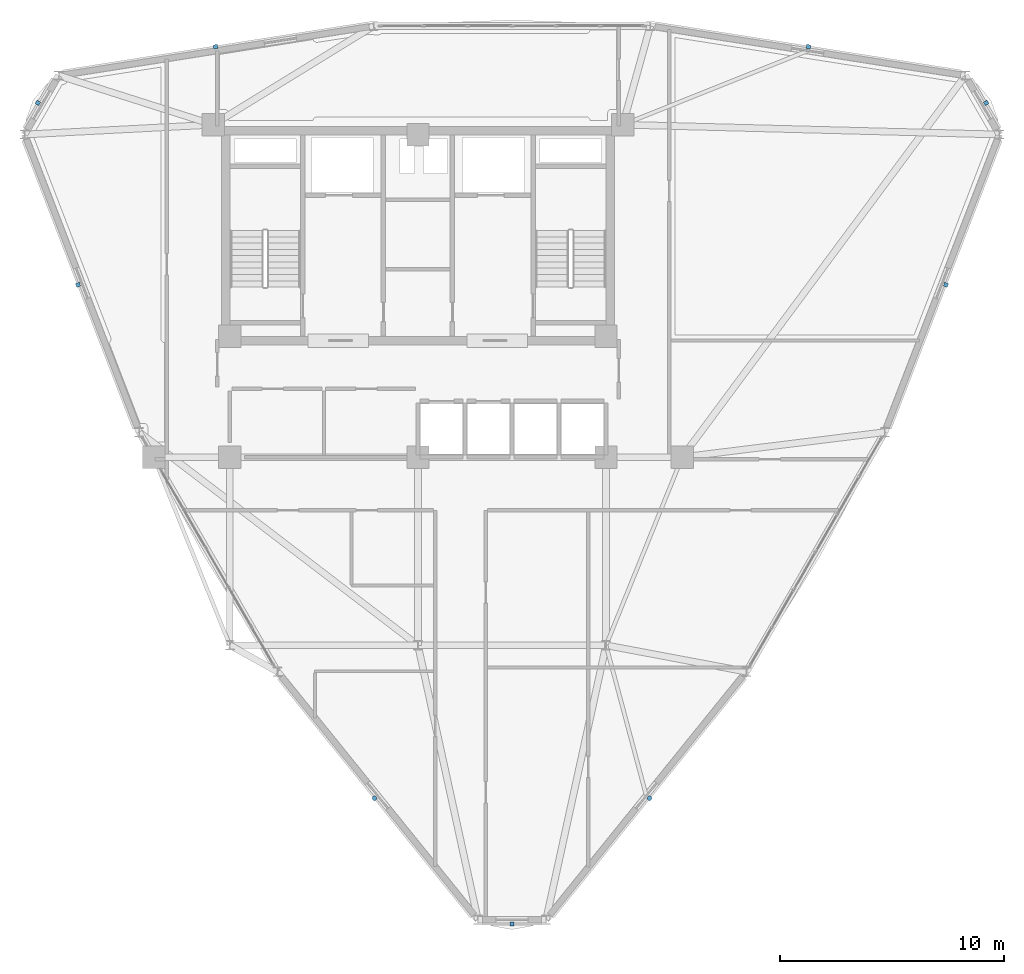
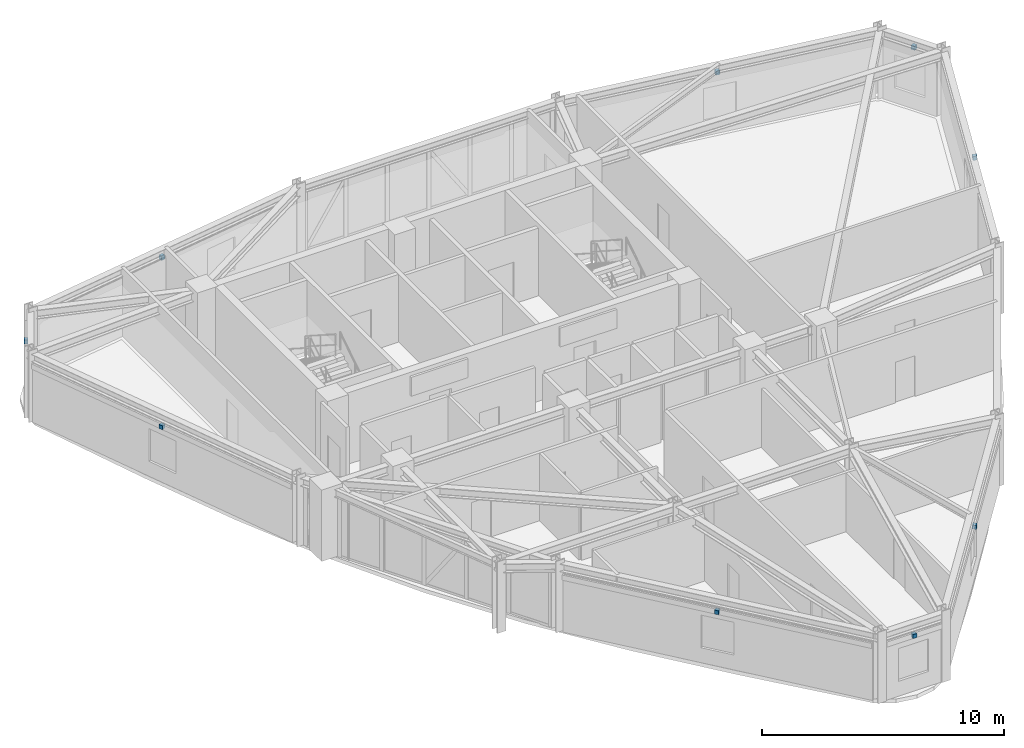
# One storey, part 16 of 18: 9 discrete accessories.
"""IFC4 building model written with IfcOpenShell, lengths in metres."""

from ifc_helpers import new_model, si_unit, derived_unit, direction, frame, origin, origin_2d, place, context, subcontext, project, spatial, rectangle, extrude, source, transform, mapped, material, type_object, element, save


model = new_model("IFC4")

# Units and contexts
model_context = context("Model", 3, precision=1e-05, world=origin(), true_north=direction((0.0, 1.0)))
body_context = subcontext(model_context, "Body", "Model", "MODEL_VIEW")
ifc_project = project(units=[si_unit("LENGTHUNIT", "METRE"), si_unit("AREAUNIT", "SQUARE_METRE"), si_unit("VOLUMEUNIT", "CUBIC_METRE"), si_unit("PLANEANGLEUNIT", "RADIAN"), si_unit("MASSUNIT", "GRAM", prefix="KILO"), derived_unit("THERMALTRANSMITTANCEUNIT", [(si_unit("POWERUNIT", "WATT"), 1), (si_unit("LENGTHUNIT", "METRE"), -2), (si_unit("THERMODYNAMICTEMPERATUREUNIT", "KELVIN"), -1)])], contexts=[model_context])

# Site, building, storey
site_placement = place(None, origin())
site = spatial("IfcSite", under=ifc_project, at=site_placement, CompositionType="ELEMENT")
building_placement = place(site_placement, origin())
building = spatial("IfcBuilding", under=site, at=building_placement, Name="Korsvarv Bourse and Concert Hall", CompositionType="ELEMENT")
storey_placement = place(building_placement, frame((0.0, 0.0, 209.39990234375)))
storey = spatial("IfcBuildingStorey", under=building, at=storey_placement, Name="L54", CompositionType="ELEMENT", Elevation=209.39990234375)

# Discrete accessories
ifc_material = material(Name="Stainless Steel S355 facade outrigger bracket", Category="steel")
discrete_accessory_type = type_object("IfcDiscreteAccessoryType", Name="ACC-BRK-1", PredefinedType="BRACKET", material=ifc_material)
shared_shape = source(origin(), body_context, "Body", "SweptSolid", [
    extrude(rectangle(XDim=0.179931640625, YDim=0.179931640625, at=origin_2d()), origin(), (0.0, 0.0, 1.0), 0.199951171875),
])
for number, where, z_axis, x_axis, name in (
    (1, (61.373779296875, 48.224609375, 2.76025390625), (0.0, 0.0, 1.0), (-0.5, 0.866025403784, 0.0), "L54 terracotta sunshade bracket EW-L54-B01"),
    (2, (53.4404296875, 50.732666015625, 2.76025390625), (0.0, 0.0, 1.0), (-0.987851616793, 0.155400074643, 0.0), "L54 terracotta sunshade bracket EW-L54-B02"),
    (3, (26.959716796875, 50.732666015625, 2.7001953125), (0.0, 0.0, 1.0), (-0.987851616793, -0.155400074643, 0.0), "L54 terracotta sunshade bracket EW-L54-B04"),
    (4, (19.0263671875, 48.224609375, 2.76025390625), (0.0, 0.0, 1.0), (-0.5, -0.866025403784, 0.0), "L54 terracotta sunshade bracket EW-L54-B05"),
    (5, (20.821044921875, 40.10009765625, 2.76025390625), (0.0, 0.0, 1.0), (0.359345396006, -0.933204632634, 0.0), "L54 terracotta sunshade bracket EW-L54-B06"),
    (6, (34.061279296875, 17.167236328125, 2.7001953125), (0.0, 0.0, 1.0), (0.628506220787, -0.777804557991, 0.0), "L54 terracotta sunshade bracket EW-L54-B08"),
    (7, (40.199951171875, 11.55078125, 2.76025390625), (0.0, 0.0, 1.0), (1.0, 0.0, 0.0), "L54 terracotta sunshade bracket EW-L54-B09"),
    (8, (46.338623046875, 17.167236328125, 2.7001953125), (0.0, 0.0, 1.0), (0.628506220787, 0.777804557991, 0.0), "L54 terracotta sunshade bracket EW-L54-B10"),
    (9, (59.578857421875, 40.10009765625, 2.76025390625), (0.0, 0.0, 1.0), (0.359345396006, 0.933204632634, 0.0), "L54 terracotta sunshade bracket EW-L54-B12"),
):
    element("IfcDiscreteAccessory", number, at=place(storey_placement, frame(where, z_axis=z_axis, x_axis=x_axis)), inside=storey, type_object=discrete_accessory_type, Name=name, PredefinedType="BRACKET", context=body_context, shape_type="MappedRepresentation", body=[
        mapped(shared_shape, transform((0.0, 0.0, 0.0), scale=1.0)),
    ])

save(model, "model.ifc")
